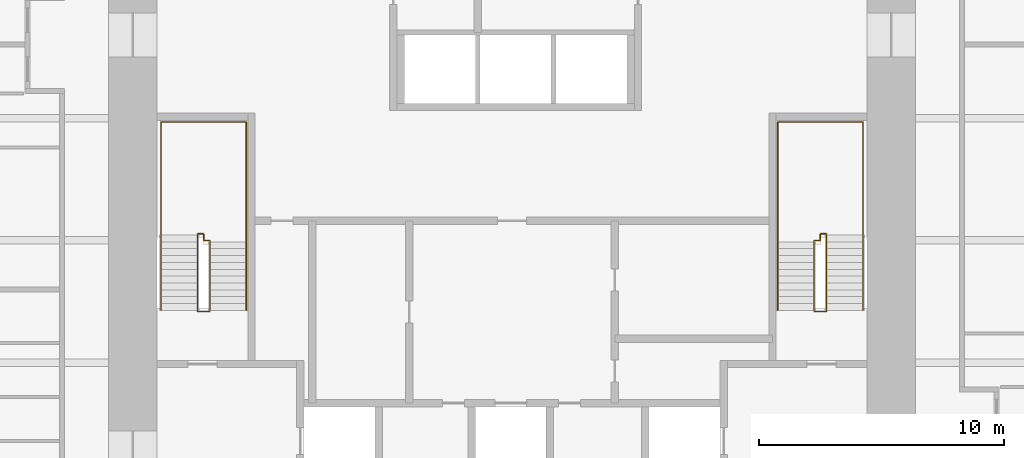
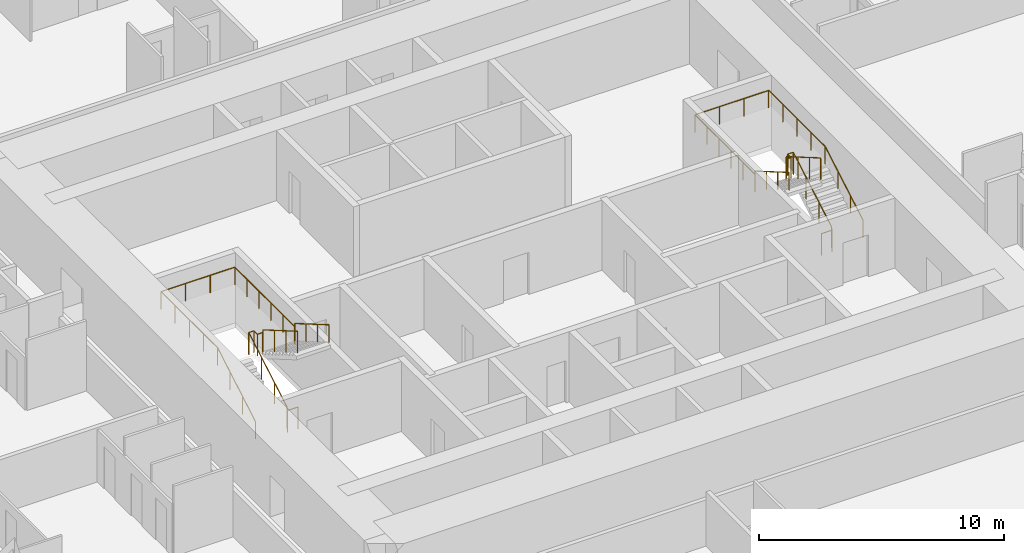
# One storey, part 17 of 17: 4 railings.
"""IFC4 building model written with IfcOpenShell, lengths in metres."""

from ifc_helpers import new_model, si_unit, direction, frame, origin, origin_2d, place, context, subcontext, project, spatial, circle, extrude, material, type_object, element, save


model = new_model("IFC4")

# Units and contexts
model_context = context("Model", 3, precision=1e-05, world=origin(), true_north=direction((0.0, 1.0)))
body_context = subcontext(model_context, "Body", "Model", "MODEL_VIEW")
ifc_project = project(units=[si_unit("LENGTHUNIT", "METRE"), si_unit("AREAUNIT", "SQUARE_METRE"), si_unit("VOLUMEUNIT", "CUBIC_METRE"), si_unit("PLANEANGLEUNIT", "RADIAN"), si_unit("MASSUNIT", "GRAM", prefix="KILO")], contexts=[model_context])

# Site, building, storey
site_placement = place(None, origin())
site = spatial("IfcSite", under=ifc_project, at=site_placement, CompositionType="ELEMENT")
building_placement = place(site_placement, origin())
building = spatial("IfcBuilding", under=site, at=building_placement, Name="Khuree Lantern Residences", CompositionType="ELEMENT")
storey_placement = place(building_placement, frame((0.0, 0.0, 84.75)))
storey = spatial("IfcBuildingStorey", under=building, at=storey_placement, Name="L21", CompositionType="ELEMENT", Elevation=84.75)

# Railings
ifc_material = material(Name="Steel S355", Category="steel")
railing_type_1 = type_object("IfcRailingType", Name="STAIR GUARD G1 1100", PredefinedType="GUARDRAIL", material=ifc_material)
railing_1_placement = place(storey_placement, frame((-12.35009765625, -2.909912109375, 0.0)))
element("IfcRailing", 1, at=railing_1_placement, inside=storey, type_object=railing_type_1, Name="Stair ST1 guard", PredefinedType="GUARDRAIL", context=body_context, shape_type="SweptSolid", body=[
    extrude(circle(Radius=0.02392578125, at=origin_2d()), frame((0.0, 0.0, 1.076171875), z_axis=(-1.0, 0.0, 0.0), x_axis=(0.0, -1.0, 0.0)), (0.0, 0.0, 1.0), 0.5),
    extrude(circle(Radius=0.02392578125, at=origin_2d()), frame((-0.5, 0.0, 1.076171875), z_axis=(0.0, 0.292073035251, 0.95639601739), x_axis=(-1.0, 0.0, 0.0)), (0.0, 0.0, 1.0), 0.17041015625),
    extrude(circle(Radius=0.02392578125, at=origin_2d()), frame((-0.5, 0.0498046875, 1.2392578125), z_axis=(0.0, 0.864176135923, 0.503189433615), x_axis=(-1.0, 0.0, 0.0)), (0.0, 0.0, 1.0), 3.564208984375),
    extrude(circle(Radius=0.02392578125, at=origin_2d()), frame((-0.5, 3.1298828125, 3.03271484375), z_axis=(0.0, 1.0, 0.0), x_axis=(-1.0, 0.0, 0.0)), (0.0, 0.0, 1.0), 0.050048828125),
    extrude(circle(Radius=0.02392578125, at=origin_2d()), frame((-0.5, 3.179931640625, 3.03271484375), z_axis=(1.0, 0.0, 0.0), x_axis=(0.0, 1.0, 0.0)), (0.0, 0.0, 1.0), 0.25),
    extrude(circle(Radius=0.02392578125, at=origin_2d()), frame((-0.25, 3.179931640625, 3.03271484375), z_axis=(0.0, -1.0, 0.0), x_axis=(1.0, 0.0, 0.0)), (0.0, 0.0, 1.0), 0.280029296875),
    extrude(circle(Radius=0.02392578125, at=origin_2d()), frame((-0.25, 2.89990234375, 3.03271484375), z_axis=(1.0, 0.0, 0.0), x_axis=(0.0, 1.0, 0.0)), (0.0, 0.0, 1.0), 0.25),
    extrude(circle(Radius=0.02392578125, at=origin_2d()), frame((0.0, 2.89990234375, 3.03271484375), z_axis=(0.0, -0.293381807449, 0.955995353053), x_axis=(1.0, 0.0, 0.0)), (0.0, 0.0, 1.0), 0.170654296875),
    extrude(circle(Radius=0.02392578125, at=origin_2d()), frame((0.0, 2.849853515625, 3.19580078125), z_axis=(0.0, -0.864180358799, 0.503182181189), x_axis=(1.0, 0.0, 0.0)), (0.0, 0.0, 1.0), 3.240234375),
    extrude(circle(Radius=0.02099609375, at=origin_2d()), origin(), (0.0, 0.0, 1.0), 1.052001953125),
    extrude(circle(Radius=0.02099609375, at=origin_2d()), frame((-0.5, 0.0, 0.0)), (0.0, 0.0, 1.0), 1.052001953125),
    extrude(circle(Radius=0.02099609375, at=origin_2d()), frame((-0.5, 0.0498046875, 0.1630859375)), (0.0, 0.0, 1.0), 1.052001953125),
    extrude(circle(Radius=0.02099609375, at=origin_2d()), frame((-0.5, 1.076416015625, 0.760986328125)), (0.0, 0.0, 1.0), 1.052001953125),
    extrude(circle(Radius=0.02099609375, at=origin_2d()), frame((-0.5, 2.103271484375, 1.358642578125)), (0.0, 0.0, 1.0), 1.052001953125),
    extrude(circle(Radius=0.02099609375, at=origin_2d()), frame((-0.5, 3.1298828125, 1.95654296875)), (0.0, 0.0, 1.0), 1.052001953125),
    extrude(circle(Radius=0.02099609375, at=origin_2d()), frame((-0.5, 3.179931640625, 1.95654296875)), (0.0, 0.0, 1.0), 1.052001953125),
    extrude(circle(Radius=0.02099609375, at=origin_2d()), frame((-0.25, 3.179931640625, 1.95654296875)), (0.0, 0.0, 1.0), 1.052001953125),
    extrude(circle(Radius=0.02099609375, at=origin_2d()), frame((-0.25, 2.89990234375, 1.95654296875)), (0.0, 0.0, 1.0), 1.052001953125),
    extrude(circle(Radius=0.02099609375, at=origin_2d()), frame((0.0, 2.89990234375, 1.95654296875)), (0.0, 0.0, 1.0), 1.052001953125),
    extrude(circle(Radius=0.02099609375, at=origin_2d()), frame((0.0, 2.849853515625, 2.11962890625)), (0.0, 0.0, 1.0), 1.052001953125),
    extrude(circle(Radius=0.02099609375, at=origin_2d()), frame((0.0, 1.91650390625, 2.6630859375)), (0.0, 0.0, 1.0), 1.052001953125),
    extrude(circle(Radius=0.02099609375, at=origin_2d()), frame((0.0, 0.983154296875, 3.20654296875)), (0.0, 0.0, 1.0), 1.052001953125),
    extrude(circle(Radius=0.02099609375, at=origin_2d()), frame((0.0, 0.0498046875, 3.75)), (0.0, 0.0, 1.0), 1.052001953125),
])
railing_2_placement = place(storey_placement, frame((12.35009765625, -2.909912109375, 0.0)))
element("IfcRailing", 2, at=railing_2_placement, inside=storey, type_object=railing_type_1, Name="Stair ST2 guard", PredefinedType="GUARDRAIL", context=body_context, shape_type="SweptSolid", body=[
    extrude(circle(Radius=0.02392578125, at=origin_2d()), frame((0.0, 0.0, 1.076171875), z_axis=(1.0, 0.0, 0.0), x_axis=(0.0, 1.0, 0.0)), (0.0, 0.0, 1.0), 0.5),
    extrude(circle(Radius=0.02392578125, at=origin_2d()), frame((0.5, 0.0, 1.076171875), z_axis=(0.0, 0.292073035251, 0.95639601739), x_axis=(-1.0, 0.0, 0.0)), (0.0, 0.0, 1.0), 0.17041015625),
    extrude(circle(Radius=0.02392578125, at=origin_2d()), frame((0.5, 0.0498046875, 1.2392578125), z_axis=(0.0, 0.864176135923, 0.503189433615), x_axis=(-1.0, 0.0, 0.0)), (0.0, 0.0, 1.0), 3.564208984375),
    extrude(circle(Radius=0.02392578125, at=origin_2d()), frame((0.5, 3.1298828125, 3.03271484375), z_axis=(0.0, 1.0, 0.0), x_axis=(-1.0, 0.0, 0.0)), (0.0, 0.0, 1.0), 0.050048828125),
    extrude(circle(Radius=0.02392578125, at=origin_2d()), frame((0.5, 3.179931640625, 3.03271484375), z_axis=(-1.0, 0.0, 0.0), x_axis=(0.0, -1.0, 0.0)), (0.0, 0.0, 1.0), 0.25),
    extrude(circle(Radius=0.02392578125, at=origin_2d()), frame((0.25, 3.179931640625, 3.03271484375), z_axis=(0.0, -1.0, 0.0), x_axis=(1.0, 0.0, 0.0)), (0.0, 0.0, 1.0), 0.280029296875),
    extrude(circle(Radius=0.02392578125, at=origin_2d()), frame((0.25, 2.89990234375, 3.03271484375), z_axis=(-1.0, 0.0, 0.0), x_axis=(0.0, -1.0, 0.0)), (0.0, 0.0, 1.0), 0.25),
    extrude(circle(Radius=0.02392578125, at=origin_2d()), frame((0.0, 2.89990234375, 3.03271484375), z_axis=(0.0, -0.293381807449, 0.955995353053), x_axis=(1.0, 0.0, 0.0)), (0.0, 0.0, 1.0), 0.170654296875),
    extrude(circle(Radius=0.02392578125, at=origin_2d()), frame((0.0, 2.849853515625, 3.19580078125), z_axis=(0.0, -0.864180358799, 0.503182181189), x_axis=(1.0, 0.0, 0.0)), (0.0, 0.0, 1.0), 3.240234375),
    extrude(circle(Radius=0.02099609375, at=origin_2d()), origin(), (0.0, 0.0, 1.0), 1.052001953125),
    extrude(circle(Radius=0.02099609375, at=origin_2d()), frame((0.5, 0.0, 0.0)), (0.0, 0.0, 1.0), 1.052001953125),
    extrude(circle(Radius=0.02099609375, at=origin_2d()), frame((0.5, 0.0498046875, 0.1630859375)), (0.0, 0.0, 1.0), 1.052001953125),
    extrude(circle(Radius=0.02099609375, at=origin_2d()), frame((0.5, 1.076416015625, 0.760986328125)), (0.0, 0.0, 1.0), 1.052001953125),
    extrude(circle(Radius=0.02099609375, at=origin_2d()), frame((0.5, 2.103271484375, 1.358642578125)), (0.0, 0.0, 1.0), 1.052001953125),
    extrude(circle(Radius=0.02099609375, at=origin_2d()), frame((0.5, 3.1298828125, 1.95654296875)), (0.0, 0.0, 1.0), 1.052001953125),
    extrude(circle(Radius=0.02099609375, at=origin_2d()), frame((0.5, 3.179931640625, 1.95654296875)), (0.0, 0.0, 1.0), 1.052001953125),
    extrude(circle(Radius=0.02099609375, at=origin_2d()), frame((0.25, 3.179931640625, 1.95654296875)), (0.0, 0.0, 1.0), 1.052001953125),
    extrude(circle(Radius=0.02099609375, at=origin_2d()), frame((0.25, 2.89990234375, 1.95654296875)), (0.0, 0.0, 1.0), 1.052001953125),
    extrude(circle(Radius=0.02099609375, at=origin_2d()), frame((0.0, 2.89990234375, 1.95654296875)), (0.0, 0.0, 1.0), 1.052001953125),
    extrude(circle(Radius=0.02099609375, at=origin_2d()), frame((0.0, 2.849853515625, 2.11962890625)), (0.0, 0.0, 1.0), 1.052001953125),
    extrude(circle(Radius=0.02099609375, at=origin_2d()), frame((0.0, 1.91650390625, 2.6630859375)), (0.0, 0.0, 1.0), 1.052001953125),
    extrude(circle(Radius=0.02099609375, at=origin_2d()), frame((0.0, 0.983154296875, 3.20654296875)), (0.0, 0.0, 1.0), 1.052001953125),
    extrude(circle(Radius=0.02099609375, at=origin_2d()), frame((0.0, 0.0498046875, 3.75)), (0.0, 0.0, 1.0), 1.052001953125),
])
railing_type_2 = type_object("IfcRailingType", Name="STAIR HANDRAIL H1 900", PredefinedType="HANDRAIL", material=ifc_material)
railing_3_placement = place(storey_placement, frame((-14.340087890625, -2.860107421875, 0.1630859375)))
element("IfcRailing", 3, at=railing_3_placement, inside=storey, type_object=railing_type_2, Name="Stair ST1 handrail", PredefinedType="HANDRAIL", context=body_context, shape_type="SweptSolid", body=[
    extrude(circle(Radius=0.02392578125, at=origin_2d()), frame((0.0, 0.0, 0.8759765625), z_axis=(0.0, 0.864176135923, 0.503189433615), x_axis=(-1.0, 0.0, 0.0)), (0.0, 0.0, 1.0), 3.564208984375),
    extrude(circle(Radius=0.02392578125, at=origin_2d()), frame((0.0, 3.080078125, 2.66943359375), z_axis=(0.0, 1.0, 0.0), x_axis=(-1.0, 0.0, 0.0)), (0.0, 0.0, 1.0), 4.6201171875),
    extrude(circle(Radius=0.02392578125, at=origin_2d()), frame((0.0, 7.7001953125, 2.66943359375), z_axis=(1.0, 0.0, 0.0), x_axis=(0.0, 1.0, 0.0)), (0.0, 0.0, 1.0), 3.47998046875),
    extrude(circle(Radius=0.02392578125, at=origin_2d()), frame((3.47998046875, 7.7001953125, 2.66943359375), z_axis=(0.0, -1.0, 0.0), x_axis=(1.0, 0.0, 0.0)), (0.0, 0.0, 1.0), 4.900146484375),
    extrude(circle(Radius=0.02392578125, at=origin_2d()), frame((3.47998046875, 2.800048828125, 2.66943359375), z_axis=(0.0, 0.0, 1.0), x_axis=(1.0, 0.0, 0.0)), (0.0, 0.0, 1.0), 0.1630859375),
    extrude(circle(Radius=0.02392578125, at=origin_2d()), frame((3.47998046875, 2.800048828125, 2.83251953125), z_axis=(0.0, -0.864180358799, 0.503182181189), x_axis=(1.0, 0.0, 0.0)), (0.0, 0.0, 1.0), 3.240234375),
    extrude(circle(Radius=0.02099609375, at=origin_2d()), origin(), (0.0, 0.0, 1.0), 0.851806640625),
    extrude(circle(Radius=0.02099609375, at=origin_2d()), frame((0.0, 1.026611328125, 0.597900390625)), (0.0, 0.0, 1.0), 0.851806640625),
    extrude(circle(Radius=0.02099609375, at=origin_2d()), frame((0.0, 2.053466796875, 1.195556640625)), (0.0, 0.0, 1.0), 0.851806640625),
    extrude(circle(Radius=0.02099609375, at=origin_2d()), frame((0.0, 3.080078125, 1.79345703125)), (0.0, 0.0, 1.0), 0.851806640625),
    extrude(circle(Radius=0.02099609375, at=origin_2d()), frame((0.0, 4.235107421875, 1.79345703125)), (0.0, 0.0, 1.0), 0.851806640625),
    extrude(circle(Radius=0.02099609375, at=origin_2d()), frame((0.0, 5.39013671875, 1.79345703125)), (0.0, 0.0, 1.0), 0.851806640625),
    extrude(circle(Radius=0.02099609375, at=origin_2d()), frame((0.0, 6.545166015625, 1.79345703125)), (0.0, 0.0, 1.0), 0.851806640625),
    extrude(circle(Radius=0.02099609375, at=origin_2d()), frame((0.0, 7.7001953125, 1.79345703125)), (0.0, 0.0, 1.0), 0.851806640625),
    extrude(circle(Radius=0.02099609375, at=origin_2d()), frame((1.159912109375, 7.7001953125, 1.79345703125)), (0.0, 0.0, 1.0), 0.851806640625),
    extrude(circle(Radius=0.02099609375, at=origin_2d()), frame((2.320068359375, 7.7001953125, 1.79345703125)), (0.0, 0.0, 1.0), 0.851806640625),
    extrude(circle(Radius=0.02099609375, at=origin_2d()), frame((3.47998046875, 7.7001953125, 1.79345703125)), (0.0, 0.0, 1.0), 0.851806640625),
    extrude(circle(Radius=0.02099609375, at=origin_2d()), frame((3.47998046875, 6.72021484375, 1.79345703125)), (0.0, 0.0, 1.0), 0.851806640625),
    extrude(circle(Radius=0.02099609375, at=origin_2d()), frame((3.47998046875, 5.740234375, 1.79345703125)), (0.0, 0.0, 1.0), 0.851806640625),
    extrude(circle(Radius=0.02099609375, at=origin_2d()), frame((3.47998046875, 4.760009765625, 1.79345703125)), (0.0, 0.0, 1.0), 0.851806640625),
    extrude(circle(Radius=0.02099609375, at=origin_2d()), frame((3.47998046875, 3.780029296875, 1.79345703125)), (0.0, 0.0, 1.0), 0.851806640625),
    extrude(circle(Radius=0.02099609375, at=origin_2d()), frame((3.47998046875, 2.800048828125, 1.79345703125)), (0.0, 0.0, 1.0), 0.851806640625),
    extrude(circle(Radius=0.02099609375, at=origin_2d()), frame((3.47998046875, 2.800048828125, 1.95654296875)), (0.0, 0.0, 1.0), 0.851806640625),
    extrude(circle(Radius=0.02099609375, at=origin_2d()), frame((3.47998046875, 1.86669921875, 2.5)), (0.0, 0.0, 1.0), 0.851806640625),
    extrude(circle(Radius=0.02099609375, at=origin_2d()), frame((3.47998046875, 0.933349609375, 3.04345703125)), (0.0, 0.0, 1.0), 0.851806640625),
    extrude(circle(Radius=0.02099609375, at=origin_2d()), frame((3.47998046875, 0.0, 3.5869140625)), (0.0, 0.0, 1.0), 0.851806640625),
])
railing_4_placement = place(storey_placement, frame((14.340087890625, -2.860107421875, 0.1630859375)))
element("IfcRailing", 4, at=railing_4_placement, inside=storey, type_object=railing_type_2, Name="Stair ST2 handrail", PredefinedType="HANDRAIL", context=body_context, shape_type="SweptSolid", body=[
    extrude(circle(Radius=0.02392578125, at=origin_2d()), frame((0.0, 0.0, 0.8759765625), z_axis=(0.0, 0.864176135923, 0.503189433615), x_axis=(-1.0, 0.0, 0.0)), (0.0, 0.0, 1.0), 3.564208984375),
    extrude(circle(Radius=0.02392578125, at=origin_2d()), frame((0.0, 3.080078125, 2.66943359375), z_axis=(0.0, 1.0, 0.0), x_axis=(-1.0, 0.0, 0.0)), (0.0, 0.0, 1.0), 4.6201171875),
    extrude(circle(Radius=0.02392578125, at=origin_2d()), frame((0.0, 7.7001953125, 2.66943359375), z_axis=(-1.0, 0.0, 0.0), x_axis=(0.0, -1.0, 0.0)), (0.0, 0.0, 1.0), 3.47998046875),
    extrude(circle(Radius=0.02392578125, at=origin_2d()), frame((-3.47998046875, 7.7001953125, 2.66943359375), z_axis=(0.0, -1.0, 0.0), x_axis=(1.0, 0.0, 0.0)), (0.0, 0.0, 1.0), 4.900146484375),
    extrude(circle(Radius=0.02392578125, at=origin_2d()), frame((-3.47998046875, 2.800048828125, 2.66943359375), z_axis=(0.0, 0.0, 1.0), x_axis=(1.0, 0.0, 0.0)), (0.0, 0.0, 1.0), 0.1630859375),
    extrude(circle(Radius=0.02392578125, at=origin_2d()), frame((-3.47998046875, 2.800048828125, 2.83251953125), z_axis=(0.0, -0.864180358799, 0.503182181189), x_axis=(1.0, 0.0, 0.0)), (0.0, 0.0, 1.0), 3.240234375),
    extrude(circle(Radius=0.02099609375, at=origin_2d()), origin(), (0.0, 0.0, 1.0), 0.851806640625),
    extrude(circle(Radius=0.02099609375, at=origin_2d()), frame((0.0, 1.026611328125, 0.597900390625)), (0.0, 0.0, 1.0), 0.851806640625),
    extrude(circle(Radius=0.02099609375, at=origin_2d()), frame((0.0, 2.053466796875, 1.195556640625)), (0.0, 0.0, 1.0), 0.851806640625),
    extrude(circle(Radius=0.02099609375, at=origin_2d()), frame((0.0, 3.080078125, 1.79345703125)), (0.0, 0.0, 1.0), 0.851806640625),
    extrude(circle(Radius=0.02099609375, at=origin_2d()), frame((0.0, 4.235107421875, 1.79345703125)), (0.0, 0.0, 1.0), 0.851806640625),
    extrude(circle(Radius=0.02099609375, at=origin_2d()), frame((0.0, 5.39013671875, 1.79345703125)), (0.0, 0.0, 1.0), 0.851806640625),
    extrude(circle(Radius=0.02099609375, at=origin_2d()), frame((0.0, 6.545166015625, 1.79345703125)), (0.0, 0.0, 1.0), 0.851806640625),
    extrude(circle(Radius=0.02099609375, at=origin_2d()), frame((0.0, 7.7001953125, 1.79345703125)), (0.0, 0.0, 1.0), 0.851806640625),
    extrude(circle(Radius=0.02099609375, at=origin_2d()), frame((-1.159912109375, 7.7001953125, 1.79345703125)), (0.0, 0.0, 1.0), 0.851806640625),
    extrude(circle(Radius=0.02099609375, at=origin_2d()), frame((-2.320068359375, 7.7001953125, 1.79345703125)), (0.0, 0.0, 1.0), 0.851806640625),
    extrude(circle(Radius=0.02099609375, at=origin_2d()), frame((-3.47998046875, 7.7001953125, 1.79345703125)), (0.0, 0.0, 1.0), 0.851806640625),
    extrude(circle(Radius=0.02099609375, at=origin_2d()), frame((-3.47998046875, 6.72021484375, 1.79345703125)), (0.0, 0.0, 1.0), 0.851806640625),
    extrude(circle(Radius=0.02099609375, at=origin_2d()), frame((-3.47998046875, 5.740234375, 1.79345703125)), (0.0, 0.0, 1.0), 0.851806640625),
    extrude(circle(Radius=0.02099609375, at=origin_2d()), frame((-3.47998046875, 4.760009765625, 1.79345703125)), (0.0, 0.0, 1.0), 0.851806640625),
    extrude(circle(Radius=0.02099609375, at=origin_2d()), frame((-3.47998046875, 3.780029296875, 1.79345703125)), (0.0, 0.0, 1.0), 0.851806640625),
    extrude(circle(Radius=0.02099609375, at=origin_2d()), frame((-3.47998046875, 2.800048828125, 1.79345703125)), (0.0, 0.0, 1.0), 0.851806640625),
    extrude(circle(Radius=0.02099609375, at=origin_2d()), frame((-3.47998046875, 2.800048828125, 1.95654296875)), (0.0, 0.0, 1.0), 0.851806640625),
    extrude(circle(Radius=0.02099609375, at=origin_2d()), frame((-3.47998046875, 1.86669921875, 2.5)), (0.0, 0.0, 1.0), 0.851806640625),
    extrude(circle(Radius=0.02099609375, at=origin_2d()), frame((-3.47998046875, 0.933349609375, 3.04345703125)), (0.0, 0.0, 1.0), 0.851806640625),
    extrude(circle(Radius=0.02099609375, at=origin_2d()), frame((-3.47998046875, 0.0, 3.5869140625)), (0.0, 0.0, 1.0), 0.851806640625),
])

save(model, "model.ifc")
